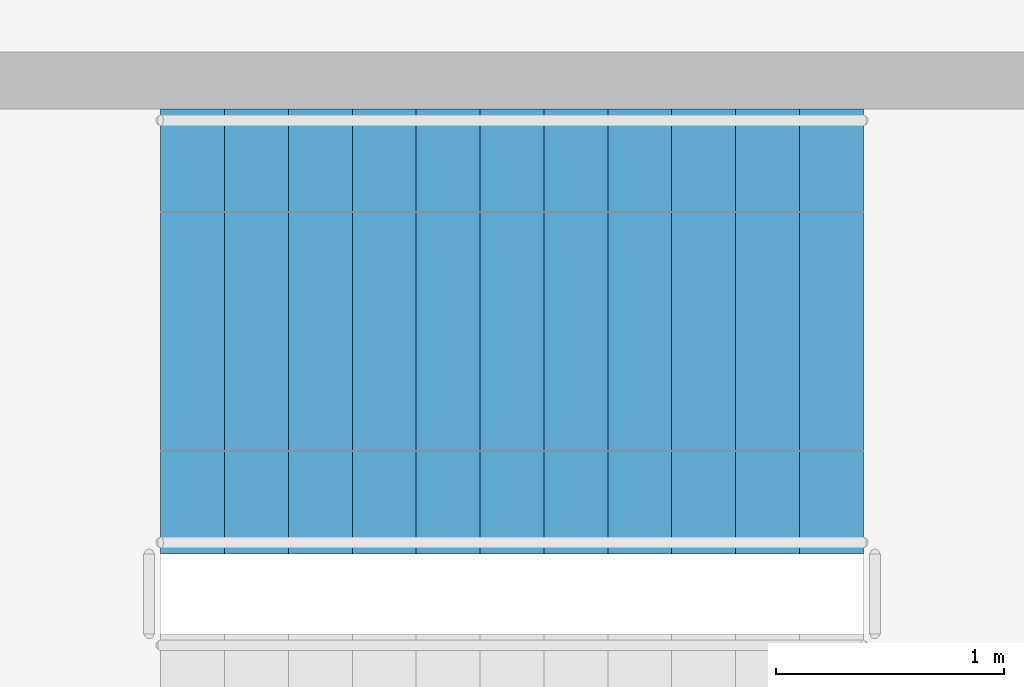
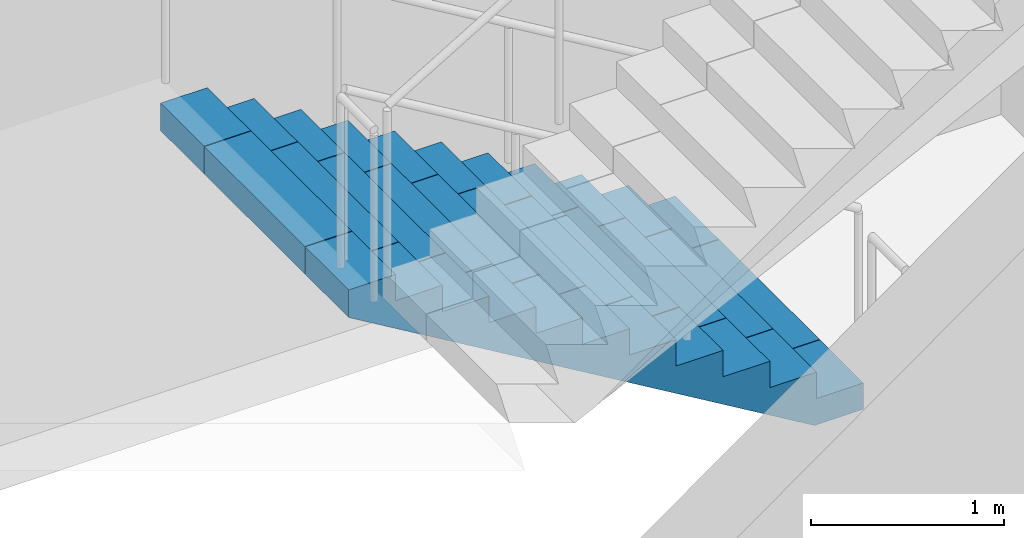
# One storey, part 13 of 15: 1 stair flight, 1 element without a shape of its own.
"""IFC4 building model written with IfcOpenShell, lengths in metres."""

from ifc_helpers import new_model, si_unit, direction, frame, origin, place, context, subcontext, project, spatial, polyline, outline, extrude, material, type_object, element, aggregate, save


model = new_model("IFC4")

# Units and contexts
model_context = context("Model", 3, precision=1e-05, world=origin(), true_north=direction((0.0, 1.0)))
body_context = subcontext(model_context, "Body", "Model", "MODEL_VIEW")
ifc_project = project(units=[si_unit("LENGTHUNIT", "METRE"), si_unit("AREAUNIT", "SQUARE_METRE"), si_unit("VOLUMEUNIT", "CUBIC_METRE"), si_unit("PLANEANGLEUNIT", "RADIAN"), si_unit("MASSUNIT", "GRAM", prefix="KILO")], contexts=[model_context])

# Site, building, storey
site_placement = place(None, origin())
site = spatial("IfcSite", under=ifc_project, at=site_placement, CompositionType="ELEMENT")
building_placement = place(site_placement, origin())
building = spatial("IfcBuilding", under=site, at=building_placement, Name="Corbelhall Arena Tower", CompositionType="ELEMENT")
storey_placement = place(building_placement, frame((0.0, 0.0, 220.0)))
storey = spatial("IfcBuildingStorey", under=building, at=storey_placement, Name="L46", CompositionType="ELEMENT", Elevation=220.0)

# Stair, stair flight
ifc_material = material(Name="Concrete C40/50", Category="concrete")
stair_type = type_object("IfcStairType", Name="IN-ST-TOWER", PredefinedType="HALF_TURN_STAIR", material=ifc_material)
stair_placement = place(storey_placement, origin())
stair = element("IfcStair", 1, at=stair_placement, inside=storey, type_object=stair_type, Name="L46 Exit stair ST3", PredefinedType="HALF_TURN_STAIR")
stair_flight_type = type_object("IfcStairFlightType", Name="IN-SFL-RC", PredefinedType="STRAIGHT", material=ifc_material)
stair_flight_placement = place(storey_placement, frame((11.425048828125, 15.699951171875, 0.0), z_axis=(0.0, 0.0, 1.0), x_axis=(-1.0, 0.0, 0.0)))
stair_flight = element("IfcStairFlight", 2, at=stair_flight_placement, type_object=stair_flight_type, Name="ST3 flight 1", NumberOfRisers=12, NumberOfTreads=11, PredefinedType="STRAIGHT", RiserHeight=0.166666667, TreadLength=0.28, context=body_context, shape_type="SweptSolid", body=[
    extrude(outline(polyline([(0.0, 0.0), (0.0, 0.166748046875), (0.280029296875, 0.166748046875), (0.280029296875, 0.333251953125), (0.56005859375, 0.333251953125), (0.56005859375, 0.5), (0.840087890625, 0.5), (0.840087890625, 0.666748046875), (1.1201171875, 0.666748046875), (1.1201171875, 0.833251953125), (1.39990234375, 0.833251953125), (1.39990234375, 1.0), (1.679931640625, 1.0), (1.679931640625, 1.166748046875), (1.9599609375, 1.166748046875), (1.9599609375, 1.333251953125), (2.239990234375, 1.333251953125), (2.239990234375, 1.5), (2.52001953125, 1.5), (2.52001953125, 1.666748046875), (2.800048828125, 1.666748046875), (2.800048828125, 1.833251953125), (3.080078125, 1.833251953125), (3.080078125, 2.0), (3.080078125, 1.658935546875), (0.29296875, 0.0), (0.0, 0.0)])), frame((0.0, 0.97509765625, 0.0), z_axis=(0.0, -1.0, 0.0), x_axis=(1.0, 0.0, 0.0)), (0.0, 0.0, 1.0), 0.449951171875),
    extrude(outline(polyline([(0.0, 0.0), (0.0, 0.166748046875), (0.280029296875, 0.166748046875), (0.280029296875, 0.333251953125), (0.56005859375, 0.333251953125), (0.56005859375, 0.5), (0.840087890625, 0.5), (0.840087890625, 0.666748046875), (1.1201171875, 0.666748046875), (1.1201171875, 0.833251953125), (1.39990234375, 0.833251953125), (1.39990234375, 1.0), (1.679931640625, 1.0), (1.679931640625, 1.166748046875), (1.9599609375, 1.166748046875), (1.9599609375, 1.333251953125), (2.239990234375, 1.333251953125), (2.239990234375, 1.5), (2.52001953125, 1.5), (2.52001953125, 1.666748046875), (2.800048828125, 1.666748046875), (2.800048828125, 1.833251953125), (3.080078125, 1.833251953125), (3.080078125, 2.0), (3.080078125, 1.658935546875), (0.29296875, 0.0), (0.0, 0.0)])), frame((0.0, 0.52099609375, 0.0), z_axis=(0.0, -1.0, 0.0), x_axis=(1.0, 0.0, 0.0)), (0.0, 0.0, 1.0), 1.0419921875),
    extrude(outline(polyline([(0.0, 0.0), (0.0, 0.166748046875), (0.280029296875, 0.166748046875), (0.280029296875, 0.333251953125), (0.56005859375, 0.333251953125), (0.56005859375, 0.5), (0.840087890625, 0.5), (0.840087890625, 0.666748046875), (1.1201171875, 0.666748046875), (1.1201171875, 0.833251953125), (1.39990234375, 0.833251953125), (1.39990234375, 1.0), (1.679931640625, 1.0), (1.679931640625, 1.166748046875), (1.9599609375, 1.166748046875), (1.9599609375, 1.333251953125), (2.239990234375, 1.333251953125), (2.239990234375, 1.5), (2.52001953125, 1.5), (2.52001953125, 1.666748046875), (2.800048828125, 1.666748046875), (2.800048828125, 1.833251953125), (3.080078125, 1.833251953125), (3.080078125, 2.0), (3.080078125, 1.658935546875), (0.29296875, 0.0), (0.0, 0.0)])), frame((0.0, -0.52490234375, 0.0), z_axis=(0.0, -1.0, 0.0), x_axis=(1.0, 0.0, 0.0)), (0.0, 0.0, 1.0), 0.449951171875),
])
aggregate(stair, [stair_flight])

save(model, "model.ifc")
